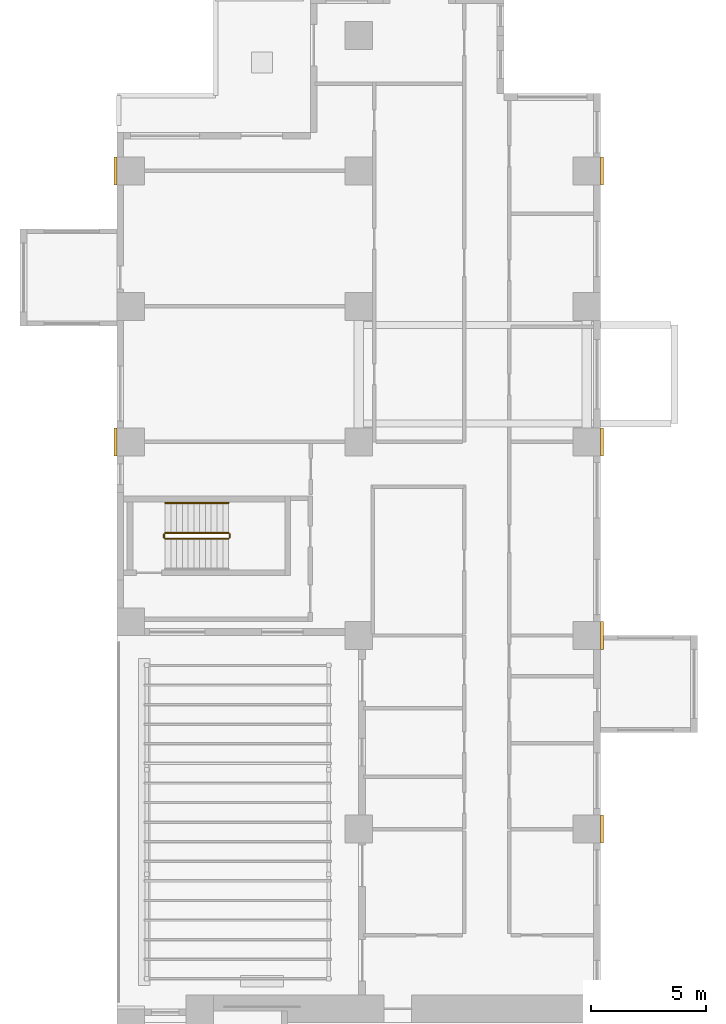
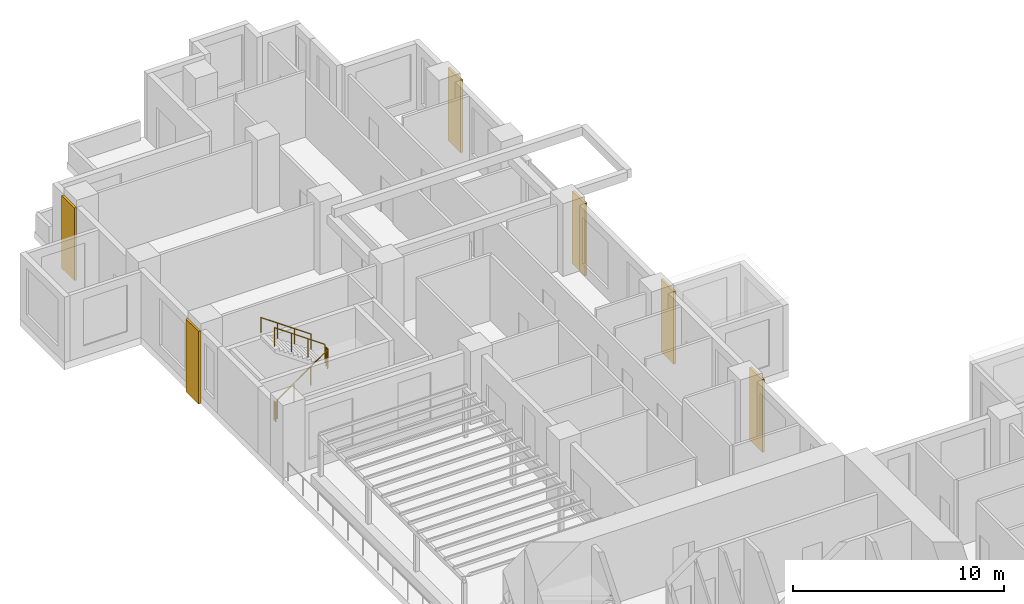
# One storey, part 16 of 17: 6 coverings, 5 railings.
"""IFC4 building model written with IfcOpenShell, lengths in metres."""

from ifc_helpers import new_model, si_unit, direction, frame, origin, origin_2d, place, context, subcontext, project, spatial, rectangle, circle, extrude, source, transform, mapped, material, type_object, element, save


model = new_model("IFC4")

# Units and contexts
model_context = context("Model", 3, precision=1e-05, world=origin(), true_north=direction((0.0, 1.0)))
body_context = subcontext(model_context, "Body", "Model", "MODEL_VIEW")
ifc_project = project(units=[si_unit("LENGTHUNIT", "METRE"), si_unit("AREAUNIT", "SQUARE_METRE"), si_unit("VOLUMEUNIT", "CUBIC_METRE"), si_unit("PLANEANGLEUNIT", "RADIAN"), si_unit("MASSUNIT", "GRAM", prefix="KILO")], contexts=[model_context])

# Site, building, storey
site_placement = place(None, origin())
site = spatial("IfcSite", under=ifc_project, at=site_placement, CompositionType="ELEMENT")
building_placement = place(site_placement, origin())
building = spatial("IfcBuilding", under=site, at=building_placement, Name="Aurelian Terraces", CompositionType="ELEMENT")
storey_placement = place(building_placement, frame((0.0, 0.0, 69.9)))
storey = spatial("IfcBuildingStorey", under=building, at=storey_placement, Name="L14", CompositionType="ELEMENT", Elevation=69.9)

# Coverings
ifc_material_1 = material(Name="Terracotta rainscreen cladding relief", Category="masonry")
covering_type = type_object("IfcCoveringType", Name="BAGUETTE-TC", PredefinedType="CLADDING", material=ifc_material_1)
shared_shape_1 = source(origin(), body_context, "Body", "SweptSolid", [
    extrude(rectangle(XDim=0.12, YDim=1.2, at=origin_2d()), origin(), (0.0, 0.0, 1.0), 4.2),
])
for number, where, z_axis, x_axis, name in (
    (1, (21.06, 29.4, -0.4), (0.0, 0.0, 1.0), (1.0, 0.0, 0.0), "BAGUETTE pier L14 10"),
    (2, (21.06, 37.8, -0.4), (0.0, 0.0, 1.0), (1.0, 0.0, 0.0), "BAGUETTE pier L14 11"),
    (3, (-0.06, 46.2, -0.4), (0.0, 0.0, 1.0), (1.0, 0.0, 0.0), "BAGUETTE pier L14 12"),
    (4, (21.06, 46.2, -0.4), (0.0, 0.0, 1.0), (1.0, 0.0, 0.0), "BAGUETTE pier L14 13"),
    (5, (-0.06, 57.96, -0.4), (0.0, 0.0, 1.0), (1.0, 0.0, 0.0), "BAGUETTE pier L14 14"),
    (6, (21.06, 57.96, -0.4), (0.0, 0.0, 1.0), (1.0, 0.0, 0.0), "BAGUETTE pier L14 15"),
):
    element("IfcCovering", number, at=place(storey_placement, frame(where, z_axis=z_axis, x_axis=x_axis)), inside=storey, type_object=covering_type, Name=name, PredefinedType="CLADDING", context=body_context, shape_type="MappedRepresentation", body=[
        mapped(shared_shape_1, transform((0.0, 0.0, 0.0), scale=1.0)),
    ])

# Railings
ifc_material_2 = material(Name="Stainless steel", Category="steel")
railing_type_1 = type_object("IfcRailingType", Name="Stair guard 1100", PredefinedType="GUARDRAIL", material=ifc_material_2)
shared_shape_2 = source(origin(), body_context, "Body", "SweptSolid", [
    extrude(circle(Radius=0.024, at=origin_2d()), frame((0.0, 0.0, 1.076), z_axis=(0.0, 1.0, 0.0), x_axis=(-1.0, 0.0, 0.0)), (0.0, 0.0, 1.0), 0.15),
    extrude(circle(Radius=0.021, at=origin_2d()), origin(), (0.0, 0.0, 1.0), 1.052),
    extrude(circle(Radius=0.021, at=origin_2d()), frame((0.0, 0.15, 0.0)), (0.0, 0.0, 1.0), 1.052),
])
for number, where, name in (
    (7, (4.9, 42.05, 2.1), "L14 S3 stair guard 2"),
    (8, (2.05, 42.05, 0.0), "L14 S3 stair guard 4"),
):
    element("IfcRailing", number, at=place(storey_placement, frame(where)), inside=storey, type_object=railing_type_1, Name=name, PredefinedType="GUARDRAIL", context=body_context, shape_type="MappedRepresentation", body=[
        mapped(shared_shape_2, transform((0.0, 0.0, 0.0), scale=1.0)),
    ])
shared_shape_3 = source(origin(), body_context, "Body", "SweptSolid", [
    extrude(circle(Radius=0.024, at=origin_2d()), frame((0.0, 0.0, 1.076), z_axis=(0.819231920519, 0.0, 0.573462344363), x_axis=(0.0, 1.0, 0.0)), (0.0, 0.0, 1.0), 3.3568),
    extrude(circle(Radius=0.021, at=origin_2d()), origin(), (0.0, 0.0, 1.0), 1.052),
    extrude(circle(Radius=0.021, at=origin_2d()), frame((0.9167, 0.0, 0.6417)), (0.0, 0.0, 1.0), 1.052),
    extrude(circle(Radius=0.021, at=origin_2d()), frame((1.8333, 0.0, 1.2833)), (0.0, 0.0, 1.0), 1.052),
    extrude(circle(Radius=0.021, at=origin_2d()), frame((2.75, 0.0, 1.925)), (0.0, 0.0, 1.0), 1.052),
])
railing_1_placement = place(storey_placement, frame((2.1, 42.0, 0.175)))
element("IfcRailing", 9, at=railing_1_placement, inside=storey, type_object=railing_type_1, Name="L14 S3 stair guard 1", PredefinedType="GUARDRAIL", context=body_context, shape_type="MappedRepresentation", body=[
    mapped(shared_shape_3, transform((0.0, 0.0, 0.0), scale=1.0)),
])
shared_shape_4 = source(origin(), body_context, "Body", "SweptSolid", [
    extrude(circle(Radius=0.024, at=origin_2d()), frame((0.0, 0.0, 1.076), z_axis=(-0.819231920519, 0.0, 0.573462344363), x_axis=(0.0, -1.0, 0.0)), (0.0, 0.0, 1.0), 3.3568),
    extrude(circle(Radius=0.021, at=origin_2d()), origin(), (0.0, 0.0, 1.0), 1.052),
    extrude(circle(Radius=0.021, at=origin_2d()), frame((-0.9167, 0.0, 0.6417)), (0.0, 0.0, 1.0), 1.052),
    extrude(circle(Radius=0.021, at=origin_2d()), frame((-1.8333, 0.0, 1.2833)), (0.0, 0.0, 1.0), 1.052),
    extrude(circle(Radius=0.021, at=origin_2d()), frame((-2.75, 0.0, 1.925)), (0.0, 0.0, 1.0), 1.052),
])
railing_2_placement = place(storey_placement, frame((4.85, 42.25, 2.275)))
element("IfcRailing", 10, at=railing_2_placement, inside=storey, type_object=railing_type_1, Name="L14 S3 stair guard 3", PredefinedType="GUARDRAIL", context=body_context, shape_type="MappedRepresentation", body=[
    mapped(shared_shape_4, transform((0.0, 0.0, 0.0), scale=1.0)),
])
railing_type_2 = type_object("IfcRailingType", Name="Stair handrail", PredefinedType="HANDRAIL", material=ifc_material_2)
shared_shape_5 = source(origin(), body_context, "Body", "SweptSolid", [
    extrude(circle(Radius=0.024, at=origin_2d()), frame((0.0, 0.0, 0.876), z_axis=(-0.819231920519, 0.0, 0.573462344363), x_axis=(0.0, -1.0, 0.0)), (0.0, 0.0, 1.0), 3.3568),
    extrude(circle(Radius=0.021, at=origin_2d()), origin(), (0.0, 0.0, 1.0), 0.852),
    extrude(circle(Radius=0.021, at=origin_2d()), frame((-0.9167, 0.0, 0.6417)), (0.0, 0.0, 1.0), 0.852),
    extrude(circle(Radius=0.021, at=origin_2d()), frame((-1.8333, 0.0, 1.2833)), (0.0, 0.0, 1.0), 0.852),
    extrude(circle(Radius=0.021, at=origin_2d()), frame((-2.75, 0.0, 1.925)), (0.0, 0.0, 1.0), 0.852),
])
railing_3_placement = place(storey_placement, frame((4.85, 43.55, 2.275)))
element("IfcRailing", 11, at=railing_3_placement, inside=storey, type_object=railing_type_2, Name="L14 S3 stair handrail 2", PredefinedType="HANDRAIL", context=body_context, shape_type="MappedRepresentation", body=[
    mapped(shared_shape_5, transform((0.0, 0.0, 0.0), scale=1.0)),
])

save(model, "model.ifc")
